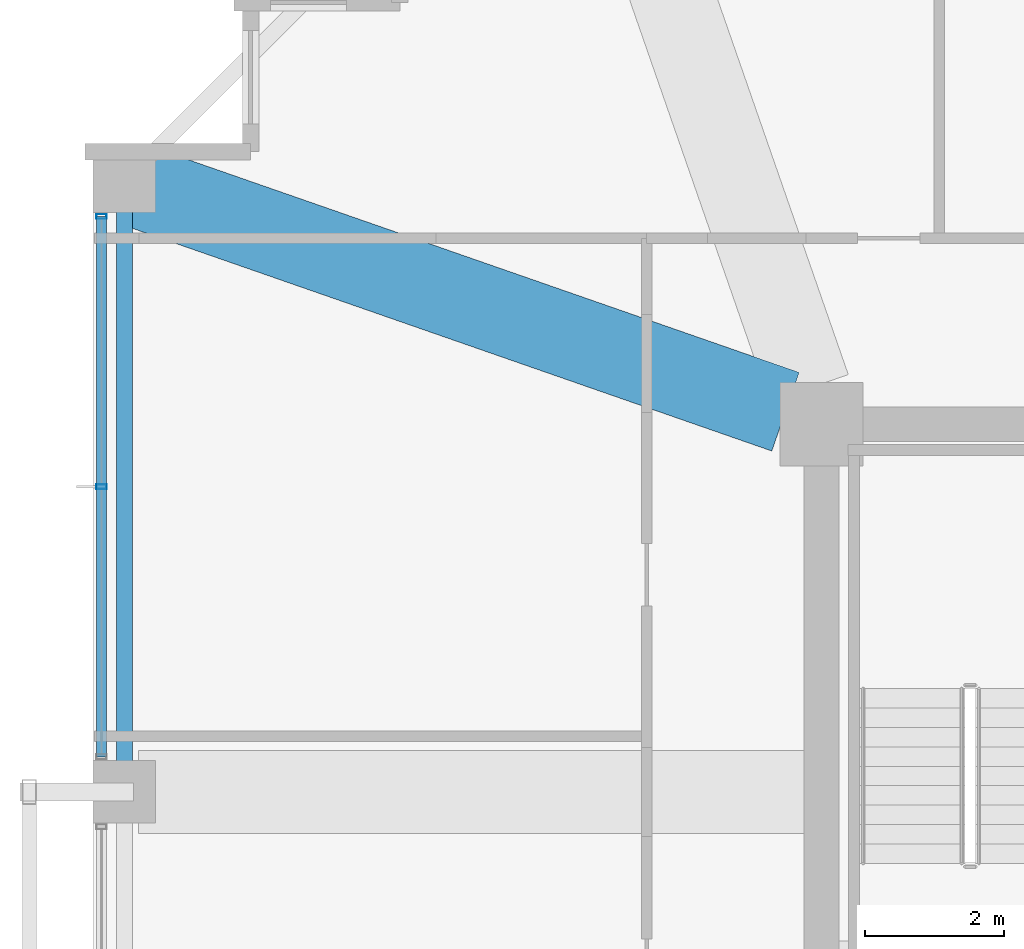
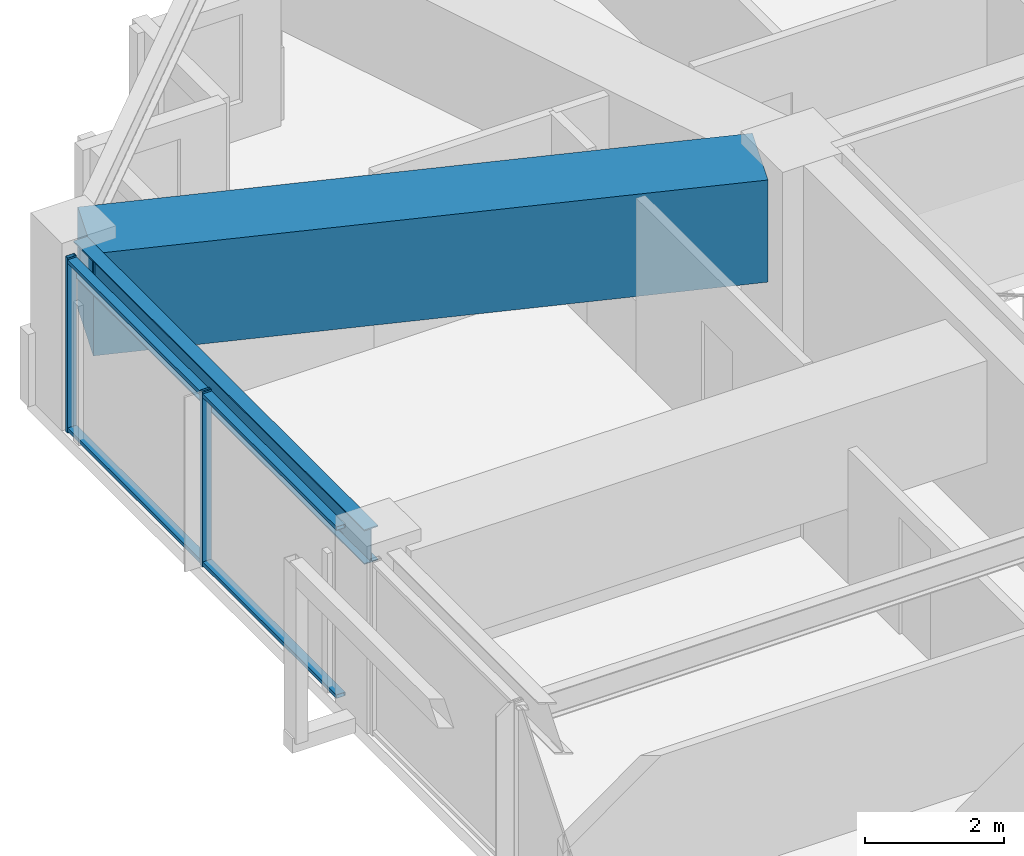
# One storey, part 16 of 37: 4 members, 2 beams, 1 element without a shape of its own.
"""IFC4 building model written with IfcOpenShell, lengths in metres."""

from ifc_helpers import new_model, si_unit, direction, frame, origin, origin_2d, place, context, subcontext, project, spatial, rectangle, hollow_rectangle, i_section, extrude, material, material_profile, profile_set, type_object, element, aggregate, save


model = new_model("IFC4")

# Units and contexts
model_context = context("Model", 3, precision=1e-05, world=origin(), true_north=direction((0.0, 1.0)))
body_context = subcontext(model_context, "Body", "Model", "MODEL_VIEW")
ifc_project = project(units=[si_unit("LENGTHUNIT", "METRE"), si_unit("AREAUNIT", "SQUARE_METRE"), si_unit("VOLUMEUNIT", "CUBIC_METRE"), si_unit("PLANEANGLEUNIT", "RADIAN"), si_unit("MASSUNIT", "GRAM", prefix="KILO")], contexts=[model_context])

# Site, building, storey
site_placement = place(None, origin())
site = spatial("IfcSite", under=ifc_project, at=site_placement, CompositionType="ELEMENT")
building_placement = place(site_placement, origin())
building = spatial("IfcBuilding", under=site, at=building_placement, Name="Kolvaren Belvedere", CompositionType="ELEMENT")
storey_placement = place(building_placement, frame((0.0, 0.0, 186.60009765625)))
storey = spatial("IfcBuildingStorey", under=building, at=storey_placement, Name="L54", CompositionType="ELEMENT", Elevation=186.60009765625)

# Beams
ifc_material_1 = material(Name="Structural steel ASTM A992 Grade 50", Category="steel")
ifc_material_profile_1 = material_profile(ifc_material_1, i_section(OverallWidth=0.22900390625, OverallDepth=0.612060546875, WebThickness=0.011962890625, FlangeThickness=0.01953125, FilletRadius=0.01806640625, at=origin_2d()), Name="W24X84")
ifc_profile_set_1 = profile_set([ifc_material_profile_1], Name="Structural steel ASTM A992 Grade 50")
beam_type_1 = type_object("IfcBeamType", Name="BM-SPAN-W24X84", PredefinedType="SPANDREL", material=ifc_profile_set_1)
beam_1_placement = place(storey_placement, frame((-19.949951171875, 13.197509765625, 2.77392578125), z_axis=(0.0, -1.0, 0.0), x_axis=(1.0, 0.0, 0.0)))
element("IfcBeam", 1, at=beam_1_placement, inside=storey, type_object=beam_type_1, Name="L54 Perimeter Spandrel W4-W3", PredefinedType="SPANDREL", context=body_context, shape_type="SweptSolid", body=[
    extrude(i_section(OverallWidth=0.22900390625, OverallDepth=0.612060546875, WebThickness=0.011962890625, FlangeThickness=0.01953125, FilletRadius=0.01806640625, at=origin_2d()), origin(), (0.0, 0.0, 1.0), 8.39501953125),
])
ifc_material_2 = material(Name="Concrete C50/60", Category="concrete")
ifc_material_profile_2 = material_profile(ifc_material_2, rectangle(XDim=1.199951171875, YDim=1.800048828125, at=origin_2d()), Name="RC 1200X1800")
ifc_profile_set_2 = profile_set([ifc_material_profile_2], Name="Concrete C50/60")
beam_type_2 = type_object("IfcBeamType", Name="BM-TG-1800", PredefinedType="BEAM", material=ifc_profile_set_2)
beam_2_placement = place(storey_placement, frame((-10.41943359375, 10.080810546875, 2.179931640625), z_axis=(-0.944366798861, 0.328894130701, 0.0), x_axis=(-0.328894130701, -0.944366798861, 0.0)))
element("IfcBeam", 2, at=beam_2_placement, inside=storey, type_object=beam_type_2, Name="L54 Corner Core-to-Perimeter Girder CC4-W4", PredefinedType="BEAM", context=body_context, shape_type="SweptSolid", body=[
    extrude(rectangle(XDim=1.199951171875, YDim=1.800048828125, at=origin_2d()), origin(), (0.0, 0.0, 1.0), 9.912109375),
])

# Curtain wall, members
ifc_material_3 = material(Name="Anodised pale-metal aluminium AA 6063-T6", Category="aluminium")
curtain_wall_type = type_object("IfcCurtainWallType", Name="CW-Z5-HIGH", PredefinedType="NOTDEFINED", material=ifc_material_3)
curtain_wall_placement = place(storey_placement, origin())
curtain_wall = element("IfcCurtainWall", 3, at=curtain_wall_placement, inside=storey, type_object=curtain_wall_type, Name="L54 Unitised Curtain Wall FCW-L54-W-B3", PredefinedType="NOTDEFINED")
ifc_material_4 = material(Name="Anodised pale-metal aluminium AA 6063-T6", Category="aluminium")
ifc_material_profile_3 = material_profile(ifc_material_4, hollow_rectangle(XDim=0.070068359375, YDim=0.14990234375, WallThickness=0.004150390625, at=origin_2d()), Name="ALU-MUL-150X70")
ifc_profile_set_3 = profile_set([ifc_material_profile_3], Name="Anodised pale-metal aluminium AA 6063-T6")
member_type_1 = type_object("IfcMemberType", Name="CW-MUL-150", PredefinedType="MULLION", material=ifc_profile_set_3)
member_1_placement = place(storey_placement, frame((-20.280029296875, 9.0, 0.0), z_axis=(0.0, 0.0, 1.0), x_axis=(0.0, 1.0, 0.0)))
member_1 = element("IfcMember", 4, at=member_1_placement, type_object=member_type_1, Name="FCW-L54-W-B3 Unitised Mullion 2", PredefinedType="MULLION", context=body_context, shape_type="SweptSolid", body=[
    extrude(hollow_rectangle(XDim=0.070068359375, YDim=0.14990234375, WallThickness=0.004150390625, at=origin_2d()), origin(), (0.0, 0.0, 1.0), 3.079833984375),
])
member_2_placement = place(storey_placement, frame((-20.280029296875, 12.89501953125, 0.0), z_axis=(0.0, 0.0, 1.0), x_axis=(0.0, 1.0, 0.0)))
member_2 = element("IfcMember", 5, at=member_2_placement, type_object=member_type_1, Name="FCW-L54-W-B3 Unitised Mullion 3", PredefinedType="MULLION", context=body_context, shape_type="SweptSolid", body=[
    extrude(hollow_rectangle(XDim=0.070068359375, YDim=0.14990234375, WallThickness=0.004150390625, at=origin_2d()), origin(), (0.0, 0.0, 1.0), 3.079833984375),
])
ifc_material_5 = material(Name="Anodised pale-metal aluminium AA 6063-T6", Category="aluminium")
ifc_material_profile_4 = material_profile(ifc_material_5, hollow_rectangle(XDim=0.06494140625, YDim=0.14990234375, WallThickness=0.00390625, at=origin_2d()), Name="ALU-TRN-150X65")
ifc_profile_set_4 = profile_set([ifc_material_profile_4], Name="Anodised pale-metal aluminium AA 6063-T6")
member_type_2 = type_object("IfcMemberType", Name="CW-TRN-150", PredefinedType="USERDEFINED", material=ifc_profile_set_4)
member_3_placement = place(storey_placement, frame((-20.280029296875, 5.10498046875, 0.059814453125), z_axis=(0.0, 1.0, 0.0), x_axis=(0.0, 0.0, 1.0)))
member_3 = element("IfcMember", 6, at=member_3_placement, type_object=member_type_2, Name="FCW-L54-W-B3 Sill Transom", ObjectType="TRANSOM", PredefinedType="USERDEFINED", context=body_context, shape_type="SweptSolid", body=[
    extrude(hollow_rectangle(XDim=0.06494140625, YDim=0.14990234375, WallThickness=0.00390625, at=origin_2d()), origin(), (0.0, 0.0, 1.0), 7.7900390625),
])
member_4_placement = place(storey_placement, frame((-20.280029296875, 5.10498046875, 3.02001953125), z_axis=(0.0, 1.0, 0.0), x_axis=(0.0, 0.0, 1.0)))
member_4 = element("IfcMember", 7, at=member_4_placement, type_object=member_type_2, Name="FCW-L54-W-B3 Head Transom", ObjectType="TRANSOM", PredefinedType="USERDEFINED", context=body_context, shape_type="SweptSolid", body=[
    extrude(hollow_rectangle(XDim=0.06494140625, YDim=0.14990234375, WallThickness=0.00390625, at=origin_2d()), origin(), (0.0, 0.0, 1.0), 7.7900390625),
])
aggregate(curtain_wall, [member_1, member_2, member_3, member_4])

save(model, "model.ifc")
